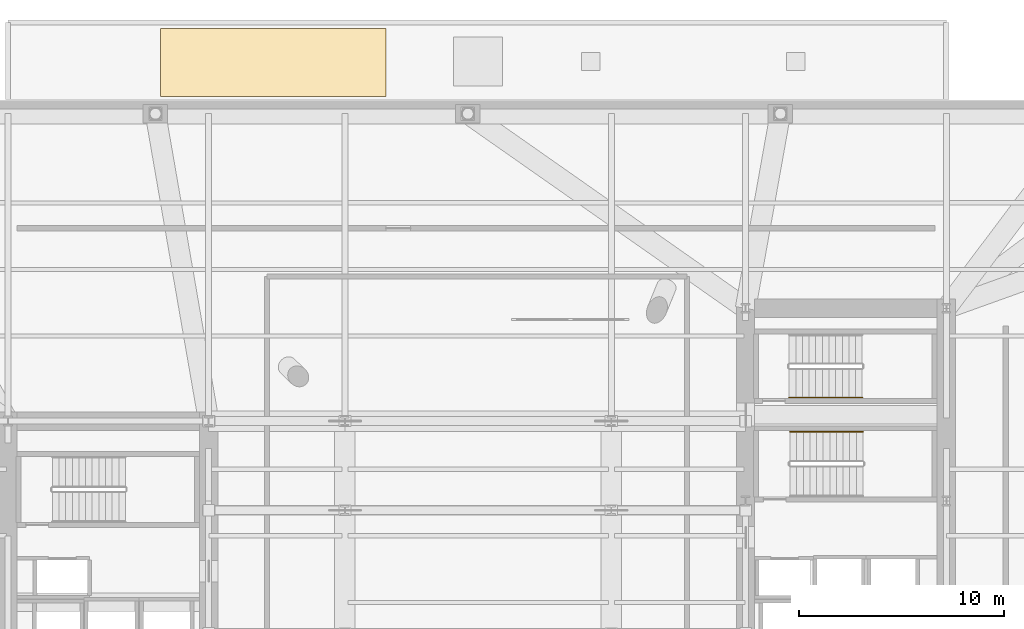
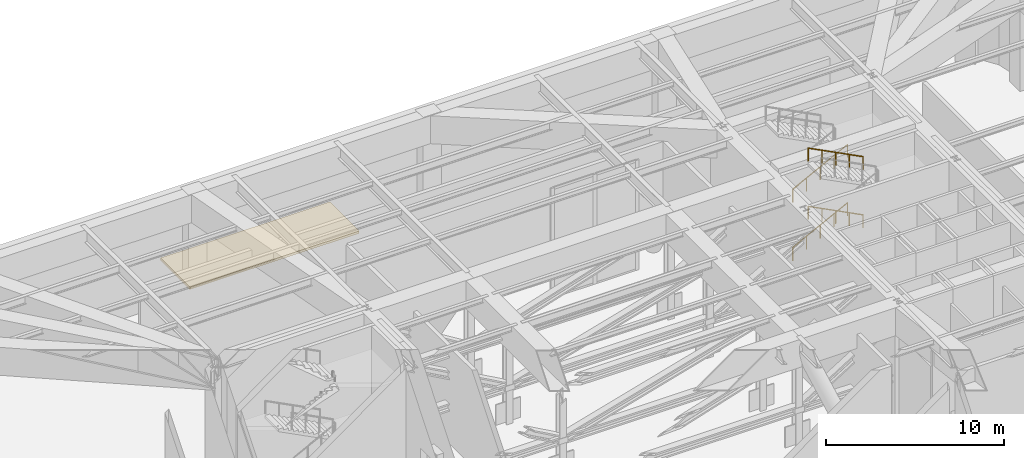
# One storey, part 14 of 15: 4 railings, 1 covering.
"""IFC4 building model written with IfcOpenShell, lengths in metres."""

from ifc_helpers import new_model, si_unit, direction, frame, origin, origin_2d, place, context, subcontext, project, spatial, polyline, circle, outline, extrude, material, layer, layer_set, type_object, element, save


model = new_model("IFC4")

# Units and contexts
model_context = context("Model", 3, precision=1e-05, world=origin(), true_north=direction((0.0, 1.0)))
body_context = subcontext(model_context, "Body", "Model", "MODEL_VIEW")
ifc_project = project(units=[si_unit("LENGTHUNIT", "METRE"), si_unit("AREAUNIT", "SQUARE_METRE"), si_unit("VOLUMEUNIT", "CUBIC_METRE"), si_unit("PLANEANGLEUNIT", "RADIAN"), si_unit("MASSUNIT", "GRAM", prefix="KILO")], contexts=[model_context])

# Site, building, storey
site_placement = place(None, origin())
site = spatial("IfcSite", under=ifc_project, at=site_placement, CompositionType="ELEMENT")
building_placement = place(site_placement, origin())
building = spatial("IfcBuilding", under=site, at=building_placement, Name="Kolvaren Arena Tower", CompositionType="ELEMENT")
storey_placement = place(building_placement, frame((0.0, 0.0, 34.0)))
storey = spatial("IfcBuildingStorey", under=building, at=storey_placement, Name="L06", CompositionType="ELEMENT", Elevation=34.0)

# Railings
ifc_material_1 = material(Name="Brushed stainless steel handrail", Category="steel")
railing_type = type_object("IfcRailingType", Name="HRAIL-900", PredefinedType="HANDRAIL", material=ifc_material_1)
for number, where, name in (
    (1, (56.283935546875, 33.330078125, 2.166748046875), "L06 ST-E1 stair handrail 2"),
    (2, (56.283935546875, 33.330078125, 6.166748046875), "L06 ST-E1 stair handrail 4"),
):
    element("IfcRailing", number, at=place(storey_placement, frame(where)), inside=storey, type_object=railing_type, Name=name, PredefinedType="HANDRAIL", context=body_context, shape_type="SweptSolid", body=[
        extrude(circle(Radius=0.02392578125, at=origin_2d()), frame((0.0, 0.0, 0.8759765625), z_axis=(-0.889251698267, 0.0, 0.45741820813), x_axis=(0.0, -1.0, 0.0)), (0.0, 0.0, 1.0), 4.0078125),
        extrude(circle(Radius=0.02099609375, at=origin_2d()), origin(), (0.0, 0.0, 1.0), 0.851806640625),
        extrude(circle(Radius=0.02099609375, at=origin_2d()), frame((-0.89111328125, 0.0, 0.458251953125)), (0.0, 0.0, 1.0), 0.851806640625),
        extrude(circle(Radius=0.02099609375, at=origin_2d()), frame((-1.781982421875, 0.0, 0.91650390625)), (0.0, 0.0, 1.0), 0.851806640625),
        extrude(circle(Radius=0.02099609375, at=origin_2d()), frame((-2.6728515625, 0.0, 1.375)), (0.0, 0.0, 1.0), 0.851806640625),
        extrude(circle(Radius=0.02099609375, at=origin_2d()), frame((-3.56396484375, 0.0, 1.833251953125)), (0.0, 0.0, 1.0), 0.851806640625),
    ])
for number, where, name in (
    (3, (52.679931640625, 35.0, 0.166748046875), "L06 ST-E2 stair handrail 1"),
    (4, (52.679931640625, 35.0, 4.166748046875), "L06 ST-E2 stair handrail 3"),
):
    element("IfcRailing", number, at=place(storey_placement, frame(where)), inside=storey, type_object=railing_type, Name=name, PredefinedType="HANDRAIL", context=body_context, shape_type="SweptSolid", body=[
        extrude(circle(Radius=0.02392578125, at=origin_2d()), frame((0.0, 0.0, 0.8759765625), z_axis=(0.889251698267, 0.0, 0.45741820813), x_axis=(0.0, 1.0, 0.0)), (0.0, 0.0, 1.0), 4.0078125),
        extrude(circle(Radius=0.02099609375, at=origin_2d()), origin(), (0.0, 0.0, 1.0), 0.851806640625),
        extrude(circle(Radius=0.02099609375, at=origin_2d()), frame((0.89111328125, 0.0, 0.458251953125)), (0.0, 0.0, 1.0), 0.851806640625),
        extrude(circle(Radius=0.02099609375, at=origin_2d()), frame((1.781982421875, 0.0, 0.91650390625)), (0.0, 0.0, 1.0), 0.851806640625),
        extrude(circle(Radius=0.02099609375, at=origin_2d()), frame((2.6728515625, 0.0, 1.375)), (0.0, 0.0, 1.0), 0.851806640625),
        extrude(circle(Radius=0.02099609375, at=origin_2d()), frame((3.56396484375, 0.0, 1.833251953125)), (0.0, 0.0, 1.0), 0.851806640625),
    ])

# Covering
ifc_material_2 = material(Name="Insulated cold-climate EPDM roof assembly", Category="concrete")
ifc_layer = layer(ifc_material_2, 0.159912109375)
ifc_layer_set = layer_set([ifc_layer], Name="Insulated cold-climate EPDM roof assembly")
covering_type = type_object("IfcCoveringType", Name="ROOF-MEM-1", PredefinedType="ROOFING", material=ifc_layer_set)
covering_placement = place(storey_placement, origin())
element("IfcCovering", 5, at=covering_placement, inside=storey, type_object=covering_type, Name="Cold-Climate Insulated EPDM Roof Assembly 2 (L06)", PredefinedType="ROOFING", context=body_context, shape_type="SweptSolid", body=[
    extrude(outline(polyline([(22.0, 49.699951171875), (33.0, 49.699951171875), (33.0, 53.0), (22.0, 53.0), (22.0, 49.699951171875)])), origin(), (0.0, 0.0, 1.0), 0.159912109375),
])

save(model, "model.ifc")
